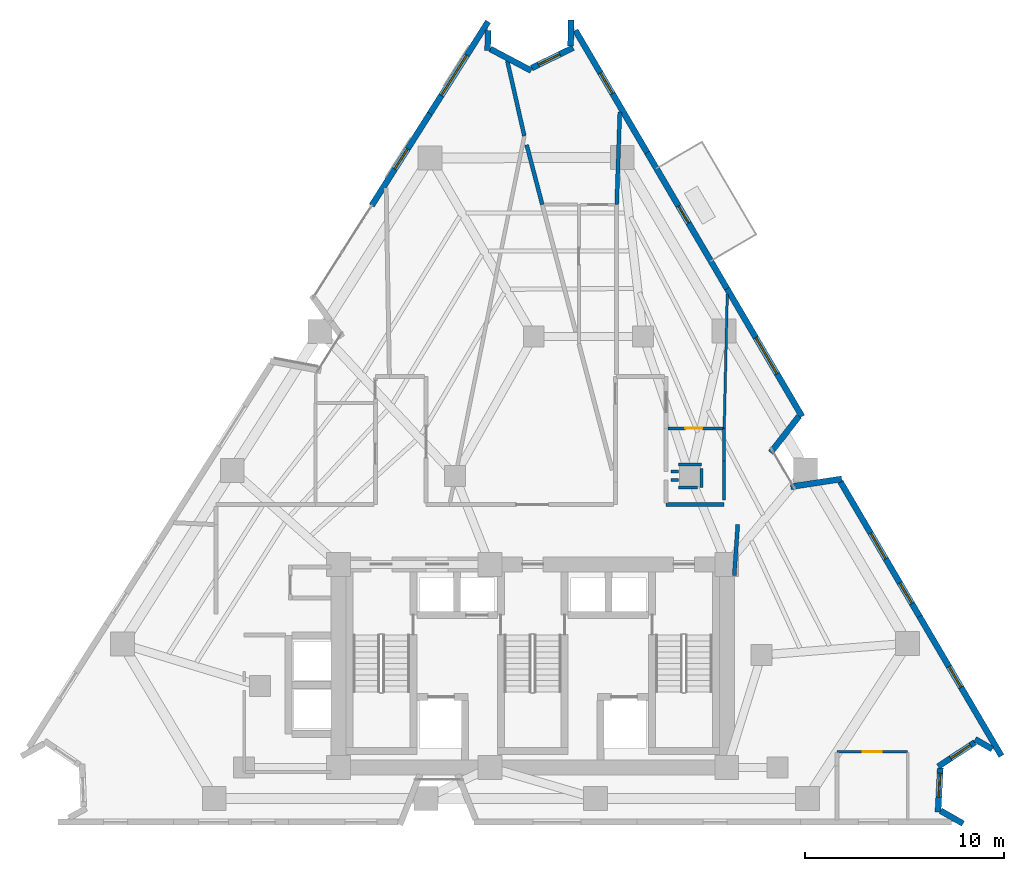
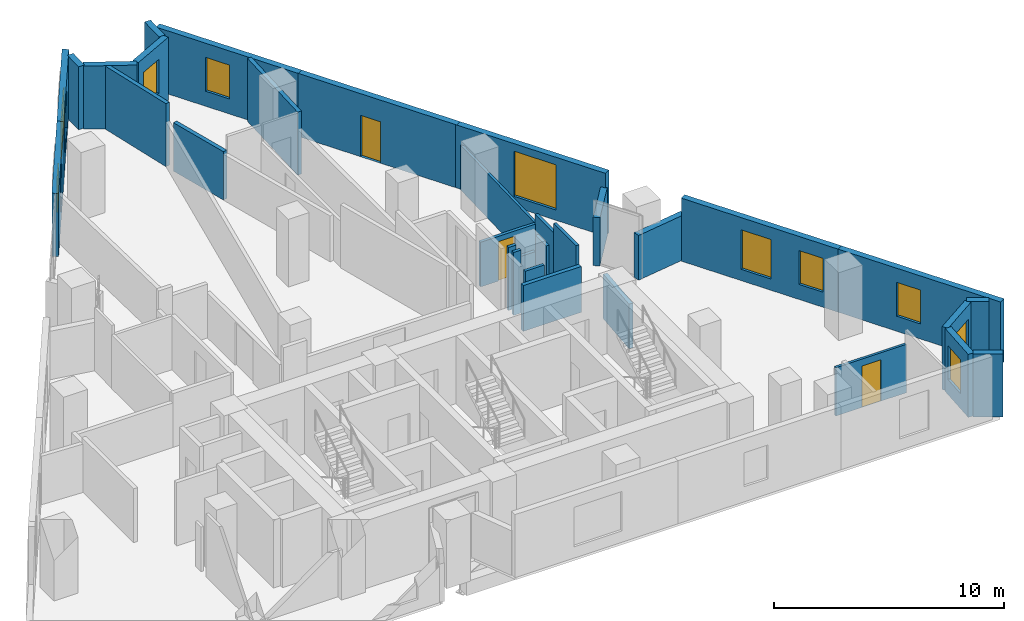
# One storey, part 8 of 11: 32 walls, 10 windows, 3 doors, 13 openings.
"""IFC4 building model written with IfcOpenShell, lengths in metres."""

from ifc_helpers import new_model, si_unit, direction, frame, frame_2d, origin, place, context, subcontext, project, spatial, rectangle, extrude, material, layer, layer_set, type_object, element, fill, save


model = new_model("IFC4")

# Units and contexts
model_context = context("Model", 3, precision=1e-05, world=origin(), true_north=direction((0.0, 1.0)))
body_context = subcontext(model_context, "Body", "Model", "MODEL_VIEW")
ifc_project = project(units=[si_unit("LENGTHUNIT", "METRE"), si_unit("AREAUNIT", "SQUARE_METRE"), si_unit("VOLUMEUNIT", "CUBIC_METRE"), si_unit("PLANEANGLEUNIT", "RADIAN"), si_unit("MASSUNIT", "GRAM", prefix="KILO")], contexts=[model_context])

# Site, building, storey
site_placement = place(None, origin())
site = spatial("IfcSite", under=ifc_project, at=site_placement, CompositionType="ELEMENT")
building_placement = place(site_placement, origin())
building = spatial("IfcBuilding", under=site, at=building_placement, Name="Almagre Mirador Tower", CompositionType="ELEMENT")
storey_placement = place(building_placement, frame((0.0, 0.0, 124.800048828125)))
storey = spatial("IfcBuildingStorey", under=building, at=storey_placement, Name="L31", CompositionType="ELEMENT", Elevation=124.800048828125)

# Wall, opening, window
ifc_material_1 = material(Name="Precast concrete C50/60", Category="concrete")
ifc_layer_1 = layer(ifc_material_1, 0.300048828125)
ifc_layer_set_1 = layer_set([ifc_layer_1], Name="Precast concrete C50/60")
wall_type_1 = type_object("IfcWallType", Name="WAL-EXT-300", PredefinedType="SOLIDWALL", material=ifc_layer_set_1)
wall_1_placement = place(storey_placement, frame((29.208251953125, 32.775390625, 0.0), z_axis=(0.0, 0.0, 1.0), x_axis=(0.534927859629, 0.844897736411, 0.0)))
wall_1 = element("IfcWall", 1, at=wall_1_placement, inside=storey, type_object=wall_type_1, Name="L31 expressed almagre precast frame wall 04", PredefinedType="SOLIDWALL", context=body_context, shape_type="SweptSolid", body=[
    extrude(rectangle(XDim=5.470947265625, YDim=0.300048828125, at=frame_2d((2.7353515625, 0.0))), origin(), (0.0, 0.0, 1.0), 3.349853515625),
])
opening_1_placement = place(wall_1_placement, frame((2.175048828125, 0.0, 0.800048828125)))
opening_1 = element("IfcOpeningElement", 2, at=opening_1_placement, cuts=wall_1, Name="Opening WN-04", PredefinedType="OPENING", context=body_context, shape_type="SweptSolid", body=[
    extrude(rectangle(XDim=1.199951171875, YDim=1.800048828125, at=frame_2d((0.60009765625, 0.89990234375))), frame((0.0, 0.159902, 0.0), z_axis=(0.0, -1.0, 0.0), x_axis=(1.0, 0.0, 0.0)), (0.0, 0.0, 1.0), 0.320049),
])
ifc_material_2 = material(Name="Dark solar-control laminated hurricane glass", Category="glass")
window_type_1 = type_object("IfcWindowType", Name="WIN-1200X1800", PartitioningType="SINGLE_PANEL", PredefinedType="WINDOW", material=ifc_material_2)
window_1_placement = place(opening_1_placement, origin())
window_1 = element("IfcWindow", 3, at=window_1_placement, inside=storey, type_object=window_type_1, Name="L31 recessed hurricane window L31-RST-J", OverallHeight=1.800048828125, OverallWidth=1.199951171875, PartitioningType="SINGLE_PANEL", PredefinedType="WINDOW", context=body_context, shape_type="SweptSolid", body=[
    extrude(rectangle(XDim=1.199951171875, YDim=1.800048828125, at=frame_2d((0.60009765625, 0.89990234375))), frame((0.0, 0.030029296875, 0.0), z_axis=(0.0, -1.0, 0.0), x_axis=(1.0, 0.0, 0.0)), (0.0, 0.0, 1.0), 0.06005859375),
])
fill(opening_1, window_1)

wall_2_placement = place(storey_placement, frame((32.134765625, 37.397705078125, 0.0), z_axis=(0.0, 0.0, 1.0), x_axis=(0.534896002359, 0.844917905278, 0.0)))
wall_2 = element("IfcWall", 4, at=wall_2_placement, inside=storey, type_object=wall_type_1, Name="L31 expressed almagre precast frame wall 05", PredefinedType="SOLIDWALL", context=body_context, shape_type="SweptSolid", body=[
    extrude(rectangle(XDim=5.470703125, YDim=0.300048828125, at=frame_2d((2.7353515625, 0.0))), origin(), (0.0, 0.0, 1.0), 3.349853515625),
])
opening_2_placement = place(wall_2_placement, frame((1.074951171875, 0.0, 0.60009765625)))
opening_2 = element("IfcOpeningElement", 5, at=opening_2_placement, cuts=wall_2, Name="Opening WN-02", PredefinedType="OPENING", context=body_context, shape_type="SweptSolid", body=[
    extrude(rectangle(XDim=2.39990234375, YDim=2.10009765625, at=frame_2d((1.199951171875, 1.050048828125))), frame((0.0, 0.159902, 0.0), z_axis=(0.0, -1.0, 0.0), x_axis=(1.0, 0.0, 0.0)), (0.0, 0.0, 1.0), 0.320049),
])
ifc_material_3 = material(Name="Dark solar-control laminated hurricane glass", Category="glass")
window_type_2 = type_object("IfcWindowType", Name="WIN-2400X2100", PartitioningType="TRIPLE_PANEL_VERTICAL", PredefinedType="WINDOW", material=ifc_material_3)
window_2_placement = place(opening_2_placement, origin())
window_2 = element("IfcWindow", 6, at=window_2_placement, inside=storey, type_object=window_type_2, Name="L31 recessed hurricane window L31-RST-J", OverallHeight=2.10009765625, OverallWidth=2.39990234375, PartitioningType="SINGLE_PANEL", PredefinedType="WINDOW", context=body_context, shape_type="SweptSolid", body=[
    extrude(rectangle(XDim=2.39990234375, YDim=2.10009765625, at=frame_2d((1.199951171875, 1.050048828125))), frame((0.0, 0.030029296875, 0.0), z_axis=(0.0, -1.0, 0.0), x_axis=(1.0, 0.0, 0.0)), (0.0, 0.0, 1.0), 0.06005859375),
])
fill(opening_2, window_2)

# Walls
wall_3_placement = place(storey_placement, frame((35.0537109375, 41.585205078125, 0.0), z_axis=(0.0, 0.0, 1.0), x_axis=(-0.016913964816, -0.999856948665, 0.0)))
element("IfcWall", 7, at=wall_3_placement, inside=storey, type_object=wall_type_1, Name="L31 expressed almagre precast frame wall 06", PredefinedType="SOLIDWALL", context=body_context, shape_type="SweptSolid", body=[
    extrude(rectangle(XDim=1.010498046875, YDim=0.300048828125, at=frame_2d((0.50537109375, 0.0))), origin(), (0.0, 0.0, 1.0), 3.349853515625),
])
wall_4_placement = place(storey_placement, frame((35.1669921875, 40.647216796875, 0.0), z_axis=(0.0, 0.0, 1.0), x_axis=(0.883555999994, -0.468325522339, 0.0)))
element("IfcWall", 8, at=wall_4_placement, inside=storey, type_object=wall_type_1, Name="L31 expressed almagre precast frame wall 07", PredefinedType="SOLIDWALL", context=body_context, shape_type="SweptSolid", body=[
    extrude(rectangle(XDim=2.331298828125, YDim=0.300048828125, at=frame_2d((1.16552734375, 0.0))), origin(), (0.0, 0.0, 1.0), 3.349853515625),
])

# Wall, opening, window
wall_5_placement = place(storey_placement, frame((37.2421875, 39.68896484375, 0.0), z_axis=(0.0, 0.0, 1.0), x_axis=(0.898736119344, 0.438489894738, 0.0)))
wall_5 = element("IfcWall", 9, at=wall_5_placement, inside=storey, type_object=wall_type_1, Name="L31 expressed almagre precast frame wall 08", PredefinedType="SOLIDWALL", context=body_context, shape_type="SweptSolid", body=[
    extrude(rectangle(XDim=2.32275390625, YDim=0.300048828125, at=frame_2d((1.161376953125, 0.0))), origin(), (0.0, 0.0, 1.0), 3.349853515625),
])
opening_3_placement = place(wall_5_placement, frame((0.3798828125, 0.0, 0.800048828125)))
opening_3 = element("IfcOpeningElement", 10, at=opening_3_placement, cuts=wall_5, Name="Opening WN-04", PredefinedType="OPENING", context=body_context, shape_type="SweptSolid", body=[
    extrude(rectangle(XDim=1.199951171875, YDim=1.800048828125, at=frame_2d((0.60009765625, 0.89990234375))), frame((0.0, 0.159902, 0.0), z_axis=(0.0, -1.0, 0.0), x_axis=(1.0, 0.0, 0.0)), (0.0, 0.0, 1.0), 0.320049),
])
window_3_placement = place(opening_3_placement, origin())
window_3 = element("IfcWindow", 11, at=window_3_placement, inside=storey, type_object=window_type_1, Name="L31 recessed hurricane window L31-UK-KT", OverallHeight=1.800048828125, OverallWidth=1.199951171875, PartitioningType="SINGLE_PANEL", PredefinedType="WINDOW", context=body_context, shape_type="SweptSolid", body=[
    extrude(rectangle(XDim=1.199951171875, YDim=1.800048828125, at=frame_2d((0.60009765625, 0.89990234375))), frame((0.0, 0.030029296875, 0.0), z_axis=(0.0, -1.0, 0.0), x_axis=(1.0, 0.0, 0.0)), (0.0, 0.0, 1.0), 0.06005859375),
])
fill(opening_3, window_3)

# Wall
wall_6_placement = place(storey_placement, frame((39.206298828125, 40.791015625, 0.0), z_axis=(0.0, 0.0, 1.0), x_axis=(0.01614812892, 0.999869610465, 0.0)))
element("IfcWall", 12, at=wall_6_placement, inside=storey, type_object=wall_type_1, Name="L31 expressed almagre precast frame wall 09", PredefinedType="SOLIDWALL", context=body_context, shape_type="SweptSolid", body=[
    extrude(rectangle(XDim=1.30029296875, YDim=0.300048828125, at=frame_2d((0.650146484375, 0.0))), origin(), (0.0, 0.0, 1.0), 3.349853515625),
])

# Wall, opening, window
wall_7_placement = place(storey_placement, frame((39.4453125, 41.575927734375, 0.0), z_axis=(0.0, 0.0, 1.0), x_axis=(0.50633152399, -0.862338905428, 0.0)))
wall_7 = element("IfcWall", 13, at=wall_7_placement, inside=storey, type_object=wall_type_1, Name="L31 expressed almagre precast frame wall 10", PredefinedType="SOLIDWALL", context=body_context, shape_type="SweptSolid", body=[
    extrude(rectangle(XDim=7.113525390625, YDim=0.300048828125, at=frame_2d((3.556640625, 0.0))), origin(), (0.0, 0.0, 1.0), 3.349853515625),
])
opening_4_placement = place(wall_7_placement, frame((2.47509765625, 0.0, 0.800048828125)))
opening_4 = element("IfcOpeningElement", 14, at=opening_4_placement, cuts=wall_7, Name="Opening WN-04", PredefinedType="OPENING", context=body_context, shape_type="SweptSolid", body=[
    extrude(rectangle(XDim=1.199951171875, YDim=1.800048828125, at=frame_2d((0.60009765625, 0.89990234375))), frame((0.0, 0.159902, 0.0), z_axis=(0.0, -1.0, 0.0), x_axis=(1.0, 0.0, 0.0)), (0.0, 0.0, 1.0), 0.320049),
])
window_4_placement = place(opening_4_placement, origin())
window_4 = element("IfcWindow", 15, at=window_4_placement, inside=storey, type_object=window_type_1, Name="L31 recessed hurricane window L31-UK-KT", OverallHeight=1.800048828125, OverallWidth=1.199951171875, PartitioningType="SINGLE_PANEL", PredefinedType="WINDOW", context=body_context, shape_type="SweptSolid", body=[
    extrude(rectangle(XDim=1.199951171875, YDim=1.800048828125, at=frame_2d((0.60009765625, 0.89990234375))), frame((0.0, 0.030029296875, 0.0), z_axis=(0.0, -1.0, 0.0), x_axis=(1.0, 0.0, 0.0)), (0.0, 0.0, 1.0), 0.06005859375),
])
fill(opening_4, window_4)

# Wall, opening, door
wall_8_placement = place(storey_placement, frame((43.047119140625, 35.441650390625, 0.0), z_axis=(0.0, 0.0, 1.0), x_axis=(0.506324067401, -0.8623432836, 0.0)))
wall_8 = element("IfcWall", 16, at=wall_8_placement, inside=storey, type_object=wall_type_1, Name="L31 expressed almagre precast frame wall 11", PredefinedType="SOLIDWALL", context=body_context, shape_type="SweptSolid", body=[
    extrude(rectangle(XDim=7.926513671875, YDim=0.300048828125, at=frame_2d((3.96337890625, 0.0))), origin(), (0.0, 0.0, 1.0), 3.349853515625),
])
opening_5_placement = place(wall_8_placement, frame((3.11572265625, 0.0, 0.0)))
opening_5 = element("IfcOpeningElement", 17, at=opening_5_placement, cuts=wall_8, Name="Opening BD-01", PredefinedType="OPENING", context=body_context, shape_type="SweptSolid", body=[
    extrude(rectangle(XDim=1.0, YDim=2.199951171875, at=frame_2d((0.5, 1.10009765625))), frame((0.0, 0.159902, 0.0), z_axis=(0.0, -1.0, 0.0), x_axis=(1.0, 0.0, 0.0)), (0.0, 0.0, 1.0), 0.320049),
])
ifc_material_4 = material(Name="Black anodized aluminium and laminated glass", Category="aluminium")
door_type_1 = type_object("IfcDoorType", Name="DOR-BAL-1000X2200", OperationType="NOTDEFINED", PredefinedType="DOOR", material=ifc_material_4)
door_1_placement = place(opening_5_placement, origin())
door_1 = element("IfcDoor", 18, at=door_1_placement, inside=storey, type_object=door_type_1, Name="DR-1014 L31 east balcony glazed door 2", OperationType="SINGLE_SWING_LEFT", OverallHeight=2.199951171875, OverallWidth=1.0, PredefinedType="DOOR", context=body_context, shape_type="SweptSolid", body=[
    extrude(rectangle(XDim=1.0, YDim=2.199951171875, at=frame_2d((0.5, 1.10009765625))), frame((0.0, 0.02490234375, 0.0), z_axis=(0.0, -1.0, 0.0), x_axis=(1.0, 0.0, 0.0)), (0.0, 0.0, 1.0), 0.050048828125),
])
fill(opening_5, door_1)

# Wall, opening, window
wall_9_placement = place(storey_placement, frame((47.03369140625, 28.65185546875, 0.0), z_axis=(0.0, 0.0, 1.0), x_axis=(0.506343130604, -0.862332090375, 0.0)))
wall_9 = element("IfcWall", 19, at=wall_9_placement, inside=storey, type_object=wall_type_1, Name="L31 expressed almagre precast frame wall 12", PredefinedType="SOLIDWALL", context=body_context, shape_type="SweptSolid", body=[
    extrude(rectangle(XDim=7.50341796875, YDim=0.300048828125, at=frame_2d((3.751708984375, 0.0))), origin(), (0.0, 0.0, 1.0), 3.349853515625),
])
opening_6_placement = place(wall_9_placement, frame((2.9150390625, 0.0, 0.550048828125)))
opening_6 = element("IfcOpeningElement", 20, at=opening_6_placement, cuts=wall_9, Name="Opening WN-05", PredefinedType="OPENING", context=body_context, shape_type="SweptSolid", body=[
    extrude(rectangle(XDim=2.10009765625, YDim=2.39990234375, at=frame_2d((1.050048828125, 1.199951171875))), frame((0.0, 0.159902, 0.0), z_axis=(0.0, -1.0, 0.0), x_axis=(1.0, 0.0, 0.0)), (0.0, 0.0, 1.0), 0.320049),
])
ifc_material_5 = material(Name="Dark solar-control laminated hurricane glass", Category="glass")
window_type_3 = type_object("IfcWindowType", Name="WIN-2100X2400", PartitioningType="DOUBLE_PANEL_VERTICAL", PredefinedType="WINDOW", material=ifc_material_5)
window_5_placement = place(opening_6_placement, origin())
window_5 = element("IfcWindow", 21, at=window_5_placement, inside=storey, type_object=window_type_3, Name="L31 recessed hurricane window L31-UH-KT", OverallHeight=2.39990234375, OverallWidth=2.10009765625, PartitioningType="SINGLE_PANEL", PredefinedType="WINDOW", context=body_context, shape_type="SweptSolid", body=[
    extrude(rectangle(XDim=2.10009765625, YDim=2.39990234375, at=frame_2d((1.050048828125, 1.199951171875))), frame((0.0, 0.030029296875, 0.0), z_axis=(0.0, -1.0, 0.0), x_axis=(1.0, 0.0, 0.0)), (0.0, 0.0, 1.0), 0.06005859375),
])
fill(opening_6, window_5)

# Walls
wall_10_placement = place(storey_placement, frame((50.676025390625, 22.19140625, 0.0), z_axis=(0.0, 0.0, 1.0), x_axis=(-0.614203555607, -0.789147636555, 0.0)))
element("IfcWall", 22, at=wall_10_placement, inside=storey, type_object=wall_type_1, Name="L31 expressed almagre precast frame wall 13", PredefinedType="SOLIDWALL", context=body_context, shape_type="SweptSolid", body=[
    extrude(rectangle(XDim=2.313720703125, YDim=0.300048828125, at=frame_2d((1.15673828125, 0.0))), origin(), (0.0, 0.0, 1.0), 2.574951171875),
])
wall_11_placement = place(storey_placement, frame((50.260498046875, 18.65283203125, 0.0), z_axis=(0.0, 0.0, 1.0), x_axis=(0.988437976445, 0.151625745577, 0.0)))
element("IfcWall", 23, at=wall_11_placement, inside=storey, type_object=wall_type_1, Name="L31 expressed almagre precast frame wall 14", PredefinedType="SOLIDWALL", context=body_context, shape_type="SweptSolid", body=[
    extrude(rectangle(XDim=2.593994140625, YDim=0.300048828125, at=frame_2d((1.296875, 0.0))), origin(), (0.0, 0.0, 1.0), 2.376953125),
])

# Wall, openings, windows
wall_12_placement = place(storey_placement, frame((52.75439453125, 18.90869140625, 0.0), z_axis=(0.0, 0.0, 1.0), x_axis=(0.506329752729, -0.86233994544, 0.0)))
wall_12 = element("IfcWall", 24, at=wall_12_placement, inside=storey, type_object=wall_type_1, Name="L31 expressed almagre precast frame wall 15", PredefinedType="SOLIDWALL", context=body_context, shape_type="SweptSolid", body=[
    extrude(rectangle(XDim=7.852783203125, YDim=0.300048828125, at=frame_2d((3.92626953125, 0.0))), origin(), (0.0, 0.0, 1.0), 3.349853515625),
])
opening_7_placement = place(wall_12_placement, frame((5.89990234375, 0.0, 0.800048828125)))
opening_7 = element("IfcOpeningElement", 25, at=opening_7_placement, cuts=wall_12, Name="Opening WN-04", PredefinedType="OPENING", context=body_context, shape_type="SweptSolid", body=[
    extrude(rectangle(XDim=1.199951171875, YDim=1.800048828125, at=frame_2d((0.60009765625, 0.89990234375))), frame((0.0, 0.159902, 0.0), z_axis=(0.0, -1.0, 0.0), x_axis=(1.0, 0.0, 0.0)), (0.0, 0.0, 1.0), 0.320049),
])
opening_8_placement = place(wall_12_placement, frame((3.0, 0.0, 0.60009765625)))
opening_8 = element("IfcOpeningElement", 26, at=opening_8_placement, cuts=wall_12, Name="Opening WN-03", PredefinedType="OPENING", context=body_context, shape_type="SweptSolid", body=[
    extrude(rectangle(XDim=1.5, YDim=2.10009765625, at=frame_2d((0.75, 1.050048828125))), frame((0.0, 0.159902, 0.0), z_axis=(0.0, -1.0, 0.0), x_axis=(1.0, 0.0, 0.0)), (0.0, 0.0, 1.0), 0.320049),
])
window_6_placement = place(opening_7_placement, origin())
window_6 = element("IfcWindow", 27, at=window_6_placement, inside=storey, type_object=window_type_1, Name="L31 recessed hurricane window L31-UC-LV", OverallHeight=1.800048828125, OverallWidth=1.199951171875, PartitioningType="SINGLE_PANEL", PredefinedType="WINDOW", context=body_context, shape_type="SweptSolid", body=[
    extrude(rectangle(XDim=1.199951171875, YDim=1.800048828125, at=frame_2d((0.60009765625, 0.89990234375))), frame((0.0, 0.030029296875, 0.0), z_axis=(0.0, -1.0, 0.0), x_axis=(1.0, 0.0, 0.0)), (0.0, 0.0, 1.0), 0.06005859375),
])
fill(opening_7, window_6)
ifc_material_6 = material(Name="Dark solar-control laminated hurricane glass", Category="glass")
window_type_4 = type_object("IfcWindowType", Name="WIN-1500X2100", PartitioningType="DOUBLE_PANEL_VERTICAL", PredefinedType="WINDOW", material=ifc_material_6)
window_7_placement = place(opening_8_placement, origin())
window_7 = element("IfcWindow", 28, at=window_7_placement, inside=storey, type_object=window_type_4, Name="L31 recessed hurricane window L31-UC-HB", OverallHeight=2.10009765625, OverallWidth=1.5, PartitioningType="SINGLE_PANEL", PredefinedType="WINDOW", context=body_context, shape_type="SweptSolid", body=[
    extrude(rectangle(XDim=1.5, YDim=2.10009765625, at=frame_2d((0.75, 1.050048828125))), frame((0.0, 0.030029296875, 0.0), z_axis=(0.0, -1.0, 0.0), x_axis=(1.0, 0.0, 0.0)), (0.0, 0.0, 1.0), 0.06005859375),
])
fill(opening_8, window_7)

# Wall, opening, window
wall_13_placement = place(storey_placement, frame((56.73046875, 12.136962890625, 0.0), z_axis=(0.0, 0.0, 1.0), x_axis=(0.506362293691, -0.86232083793, 0.0)))
wall_13 = element("IfcWall", 29, at=wall_13_placement, inside=storey, type_object=wall_type_1, Name="L31 expressed almagre precast frame wall 16", PredefinedType="SOLIDWALL", context=body_context, shape_type="SweptSolid", body=[
    extrude(rectangle(XDim=8.12744140625, YDim=0.300048828125, at=frame_2d((4.063720703125, 0.0))), origin(), (0.0, 0.0, 1.0), 3.349853515625),
])
opening_9_placement = place(wall_13_placement, frame((2.925048828125, 0.0, 0.800048828125)))
opening_9 = element("IfcOpeningElement", 30, at=opening_9_placement, cuts=wall_13, Name="Opening WN-04", PredefinedType="OPENING", context=body_context, shape_type="SweptSolid", body=[
    extrude(rectangle(XDim=1.199951171875, YDim=1.800048828125, at=frame_2d((0.60009765625, 0.89990234375))), frame((0.0, 0.159902, 0.0), z_axis=(0.0, -1.0, 0.0), x_axis=(1.0, 0.0, 0.0)), (0.0, 0.0, 1.0), 0.320049),
])
window_8_placement = place(opening_9_placement, origin())
window_8 = element("IfcWindow", 31, at=window_8_placement, inside=storey, type_object=window_type_1, Name="L31 recessed hurricane window L31-UC-MB", OverallHeight=1.800048828125, OverallWidth=1.199951171875, PartitioningType="SINGLE_PANEL", PredefinedType="WINDOW", context=body_context, shape_type="SweptSolid", body=[
    extrude(rectangle(XDim=1.199951171875, YDim=1.800048828125, at=frame_2d((0.60009765625, 0.89990234375))), frame((0.0, 0.030029296875, 0.0), z_axis=(0.0, -1.0, 0.0), x_axis=(1.0, 0.0, 0.0)), (0.0, 0.0, 1.0), 0.06005859375),
])
fill(opening_9, window_8)

# Wall
wall_14_placement = place(storey_placement, frame((60.384521484375, 5.47265625, 0.0), z_axis=(0.0, 0.0, 1.0), x_axis=(-0.867744770586, 0.497010073461, 0.0)))
element("IfcWall", 32, at=wall_14_placement, inside=storey, type_object=wall_type_1, Name="L31 expressed almagre precast frame wall 17", PredefinedType="SOLIDWALL", context=body_context, shape_type="SweptSolid", body=[
    extrude(rectangle(XDim=0.99560546875, YDim=0.300048828125, at=frame_2d((0.497802734375, 0.0))), origin(), (0.0, 0.0, 1.0), 3.349853515625),
])

# Wall, opening, window
wall_15_placement = place(storey_placement, frame((59.516845703125, 5.8154296875, 0.0), z_axis=(0.0, 0.0, 1.0), x_axis=(-0.834701570444, -0.550702540669, 0.0)))
wall_15 = element("IfcWall", 33, at=wall_15_placement, inside=storey, type_object=wall_type_1, Name="L31 expressed almagre precast frame wall 18", PredefinedType="SOLIDWALL", context=body_context, shape_type="SweptSolid", body=[
    extrude(rectangle(XDim=2.216064453125, YDim=0.300048828125, at=frame_2d((1.10791015625, 0.0))), origin(), (0.0, 0.0, 1.0), 3.349853515625),
])
opening_10_placement = place(wall_15_placement, frame((0.260009765625, 0.0, 0.800048828125)))
opening_10 = element("IfcOpeningElement", 34, at=opening_10_placement, cuts=wall_15, Name="Opening WN-04", PredefinedType="OPENING", context=body_context, shape_type="SweptSolid", body=[
    extrude(rectangle(XDim=1.199951171875, YDim=1.800048828125, at=frame_2d((0.60009765625, 0.89990234375))), frame((0.0, 0.159902, 0.0), z_axis=(0.0, -1.0, 0.0), x_axis=(1.0, 0.0, 0.0)), (0.0, 0.0, 1.0), 0.320049),
])
window_9_placement = place(opening_10_placement, origin())
window_9 = element("IfcWindow", 35, at=window_9_placement, inside=storey, type_object=window_type_1, Name="L31 recessed hurricane window L31-UC-MB", OverallHeight=1.800048828125, OverallWidth=1.199951171875, PartitioningType="SINGLE_PANEL", PredefinedType="WINDOW", context=body_context, shape_type="SweptSolid", body=[
    extrude(rectangle(XDim=1.199951171875, YDim=1.800048828125, at=frame_2d((0.60009765625, 0.89990234375))), frame((0.0, 0.030029296875, 0.0), z_axis=(0.0, -1.0, 0.0), x_axis=(1.0, 0.0, 0.0)), (0.0, 0.0, 1.0), 0.06005859375),
])
fill(opening_10, window_9)

wall_16_placement = place(storey_placement, frame((57.776123046875, 4.522216796875, 0.0), z_axis=(0.0, 0.0, 1.0), x_axis=(-0.052524156453, -0.998619653817, 0.0)))
wall_16 = element("IfcWall", 36, at=wall_16_placement, inside=storey, type_object=wall_type_1, Name="L31 expressed almagre precast frame wall 19", PredefinedType="SOLIDWALL", context=body_context, shape_type="SweptSolid", body=[
    extrude(rectangle(XDim=2.21728515625, YDim=0.300048828125, at=frame_2d((1.108642578125, 0.0))), origin(), (0.0, 0.0, 1.0), 3.349853515625),
])
opening_11_placement = place(wall_16_placement, frame((0.260009765625, 0.0, 0.800048828125)))
opening_11 = element("IfcOpeningElement", 37, at=opening_11_placement, cuts=wall_16, Name="Opening WN-04", PredefinedType="OPENING", context=body_context, shape_type="SweptSolid", body=[
    extrude(rectangle(XDim=1.199951171875, YDim=1.800048828125, at=frame_2d((0.60009765625, 0.89990234375))), frame((0.0, 0.159902, 0.0), z_axis=(0.0, -1.0, 0.0), x_axis=(1.0, 0.0, 0.0)), (0.0, 0.0, 1.0), 0.320049),
])
window_10_placement = place(opening_11_placement, origin())
window_10 = element("IfcWindow", 38, at=window_10_placement, inside=storey, type_object=window_type_1, Name="L31 recessed hurricane window L31-UC-MB", OverallHeight=1.800048828125, OverallWidth=1.199951171875, PartitioningType="SINGLE_PANEL", PredefinedType="WINDOW", context=body_context, shape_type="SweptSolid", body=[
    extrude(rectangle(XDim=1.199951171875, YDim=1.800048828125, at=frame_2d((0.60009765625, 0.89990234375))), frame((0.0, 0.030029296875, 0.0), z_axis=(0.0, -1.0, 0.0), x_axis=(1.0, 0.0, 0.0)), (0.0, 0.0, 1.0), 0.06005859375),
])
fill(opening_11, window_10)

# Wall
wall_17_placement = place(storey_placement, frame((57.78857421875, 2.37841796875, 0.0), z_axis=(0.0, 0.0, 1.0), x_axis=(0.868035842981, -0.49650153605, 0.0)))
element("IfcWall", 39, at=wall_17_placement, inside=storey, type_object=wall_type_1, Name="L31 expressed almagre precast frame wall 20", PredefinedType="SOLIDWALL", context=body_context, shape_type="SweptSolid", body=[
    extrude(rectangle(XDim=1.304931640625, YDim=0.300048828125, at=frame_2d((0.65234375, 0.0))), origin(), (0.0, 0.0, 1.0), 3.349853515625),
])

# Wall, opening, door
ifc_material_7 = material(Name="Gypsum acoustic stud partition", Category="other")
ifc_layer_2 = layer(ifc_material_7, 0.125)
ifc_layer_set_2 = layer_set([ifc_layer_2], Name="Gypsum acoustic stud partition")
wall_type_2 = type_object("IfcWallType", Name="WAL-PRT-125-UTL", PredefinedType="PARTITIONING", material=ifc_layer_set_2)
wall_18_placement = place(storey_placement, frame((52.580078125, 5.35009765625, 0.0), z_axis=(0.0, 0.0, 1.0), x_axis=(1.0, 0.0, 0.0)))
wall_18 = element("IfcWall", 40, at=wall_18_placement, inside=storey, type_object=wall_type_2, Name="L31 interior partition 032", PredefinedType="PARTITIONING", context=body_context, shape_type="SweptSolid", body=[
    extrude(rectangle(XDim=3.5498046875, YDim=0.125, at=frame_2d((1.77490234375, 0.0))), origin(), (0.0, 0.0, 1.0), 2.570068359375),
])
opening_12_placement = place(wall_18_placement, frame((1.300048828125, 0.0, 0.0)))
opening_12 = element("IfcOpeningElement", 41, at=opening_12_placement, cuts=wall_18, Name="Opening UD-01", PredefinedType="OPENING", context=body_context, shape_type="SweptSolid", body=[
    extrude(rectangle(XDim=0.949951171875, YDim=2.199951171875, at=frame_2d((0.47509765625, 1.10009765625))), frame((0.0, 0.0725, 0.0), z_axis=(0.0, -1.0, 0.0), x_axis=(1.0, 0.0, 0.0)), (0.0, 0.0, 1.0), 0.145),
])
ifc_material_8 = material(Name="Solid American walnut timber", Category="wood")
door_type_2 = type_object("IfcDoorType", Name="DOR-UNR-950X2200", OperationType="NOTDEFINED", PredefinedType="DOOR", material=ifc_material_8)
door_2_placement = place(opening_12_placement, origin())
door_2 = element("IfcDoor", 42, at=door_2_placement, inside=storey, type_object=door_type_2, Name="DR-1022 L31 interior door L31-UC-LV to L31-UC-KT", OperationType="SINGLE_SWING_RIGHT", OverallHeight=2.199951171875, OverallWidth=0.949951171875, PredefinedType="DOOR", context=body_context, shape_type="SweptSolid", body=[
    extrude(rectangle(XDim=0.949951171875, YDim=2.199951171875, at=frame_2d((0.47509765625, 1.10009765625))), frame((0.0, 0.02490234375, 0.0), z_axis=(0.0, -1.0, 0.0), x_axis=(1.0, 0.0, 0.0)), (0.0, 0.0, 1.0), 0.050048828125),
])
fill(opening_12, door_2)

# Wall
wall_19_placement = place(storey_placement, frame((46.919921875, 21.580078125, 0.0), z_axis=(0.0, 0.0, 1.0), x_axis=(0.022692630803, 0.999742489098, 0.0)))
element("IfcWall", 43, at=wall_19_placement, inside=storey, type_object=wall_type_2, Name="L31 interior partition 055", PredefinedType="PARTITIONING", context=body_context, shape_type="SweptSolid", body=[
    extrude(rectangle(XDim=6.74560546875, YDim=0.125, at=frame_2d((3.372802734375, 0.0))), origin(), (0.0, 0.0, 1.0), 2.3720703125),
])

# Wall, opening, door
ifc_material_9 = material(Name="Gypsum acoustic stud partition", Category="other")
ifc_layer_3 = layer(ifc_material_9, 0.14990234375)
ifc_layer_set_3 = layer_set([ifc_layer_3], Name="Gypsum acoustic stud partition")
wall_type_3 = type_object("IfcWallType", Name="WAL-PRT-150-STD", PredefinedType="PARTITIONING", material=ifc_layer_set_3)
wall_20_placement = place(storey_placement, frame((44.0849609375, 21.580078125, 0.0), z_axis=(0.0, 0.0, 1.0), x_axis=(1.0, 0.0, 0.0)))
wall_20 = element("IfcWall", 44, at=wall_20_placement, inside=storey, type_object=wall_type_3, Name="L31 interior partition 056", PredefinedType="PARTITIONING", context=body_context, shape_type="SweptSolid", body=[
    extrude(rectangle(XDim=2.78759765625, YDim=0.14990234375, at=frame_2d((1.393798828125, 0.0))), origin(), (0.0, 0.0, 1.0), 2.3720703125),
])
opening_13_placement = place(wall_20_placement, frame((0.890380859375, 0.0, 0.0)))
opening_13 = element("IfcOpeningElement", 45, at=opening_13_placement, cuts=wall_20, Name="Opening UD-04", PredefinedType="OPENING", context=body_context, shape_type="SweptSolid", body=[
    extrude(rectangle(XDim=0.85009765625, YDim=2.10009765625, at=frame_2d((0.425048828125, 1.050048828125))), frame((0.0, 0.084951, 0.0), z_axis=(0.0, -1.0, 0.0), x_axis=(1.0, 0.0, 0.0)), (0.0, 0.0, 1.0), 0.169902),
])
ifc_material_10 = material(Name="Moisture-resistant oak timber", Category="wood")
door_type_3 = type_object("IfcDoorType", Name="DOR-UNR-850X2100", OperationType="NOTDEFINED", PredefinedType="DOOR", material=ifc_material_10)
door_3_placement = place(opening_13_placement, origin())
door_3 = element("IfcDoor", 46, at=door_3_placement, inside=storey, type_object=door_type_3, Name="DR-1024 L31 interior door L31-UH-ST to L31-UH-BT", OperationType="SINGLE_SWING_RIGHT", OverallHeight=2.10009765625, OverallWidth=0.85009765625, PredefinedType="DOOR", context=body_context, shape_type="SweptSolid", body=[
    extrude(rectangle(XDim=0.85009765625, YDim=2.10009765625, at=frame_2d((0.425048828125, 1.050048828125))), frame((0.0, 0.02490234375, 0.0), z_axis=(0.0, -1.0, 0.0), x_axis=(1.0, 0.0, 0.0)), (0.0, 0.0, 1.0), 0.050048828125),
])
fill(opening_13, door_3)

# Walls
wall_21_placement = place(storey_placement, frame((46.919921875, 21.5673828125, 0.0), z_axis=(0.0, 0.0, 1.0), x_axis=(0.0, -1.0, 0.0)))
element("IfcWall", 47, at=wall_21_placement, inside=storey, type_object=wall_type_3, Name="L31 interior partition 059", PredefinedType="PARTITIONING", context=body_context, shape_type="SweptSolid", body=[
    extrude(rectangle(XDim=1.617431640625, YDim=0.14990234375, at=frame_2d((0.80859375, 0.0))), origin(), (0.0, 0.0, 1.0), 2.85986328125),
])
wall_22_placement = place(storey_placement, frame((44.239990234375, 19.419921875, 0.0), z_axis=(0.0, 0.0, 1.0), x_axis=(1.0, 0.0, 0.0)))
element("IfcWall", 48, at=wall_22_placement, inside=storey, type_object=wall_type_3, Name="L31 interior partition 064", PredefinedType="PARTITIONING", context=body_context, shape_type="SweptSolid", body=[
    extrude(rectangle(XDim=0.380126953125, YDim=0.14990234375, at=frame_2d((0.18994140625, 0.0))), origin(), (0.0, 0.0, 1.0), 3.349853515625),
])
wall_23_placement = place(storey_placement, frame((44.6201171875, 19.780029296875, 0.0), z_axis=(0.0, 0.0, 1.0), x_axis=(1.0, 0.0, 0.0)))
element("IfcWall", 49, at=wall_23_placement, inside=storey, type_object=wall_type_3, Name="L31 interior partition 065", PredefinedType="PARTITIONING", context=body_context, shape_type="SweptSolid", body=[
    extrude(rectangle(XDim=1.169921875, YDim=0.14990234375, at=frame_2d((0.5849609375, 0.0))), origin(), (0.0, 0.0, 1.0), 2.3720703125),
])
wall_24_placement = place(storey_placement, frame((45.7900390625, 19.56494140625, 0.0), z_axis=(0.0, 0.0, 1.0), x_axis=(0.0, -1.0, 0.0)))
element("IfcWall", 50, at=wall_24_placement, inside=storey, type_object=wall_type_3, Name="L31 interior partition 066", PredefinedType="PARTITIONING", context=body_context, shape_type="SweptSolid", body=[
    extrude(rectangle(XDim=0.94482421875, YDim=0.14990234375, at=frame_2d((0.472412109375, 0.0))), origin(), (0.0, 0.0, 1.0), 3.349853515625),
])
wall_25_placement = place(storey_placement, frame((45.574951171875, 18.6201171875, 0.0), z_axis=(0.0, 0.0, 1.0), x_axis=(-1.0, 0.0, 0.0)))
element("IfcWall", 51, at=wall_25_placement, inside=storey, type_object=wall_type_3, Name="L31 interior partition 067", PredefinedType="PARTITIONING", context=body_context, shape_type="SweptSolid", body=[
    extrude(rectangle(XDim=0.954833984375, YDim=0.14990234375, at=frame_2d((0.4775390625, 0.0))), origin(), (0.0, 0.0, 1.0), 2.43603515625),
])
wall_26_placement = place(storey_placement, frame((44.6201171875, 18.97998046875, 0.0), z_axis=(0.0, 0.0, 1.0), x_axis=(-1.0, 0.0, 0.0)))
element("IfcWall", 52, at=wall_26_placement, inside=storey, type_object=wall_type_3, Name="L31 interior partition 068", PredefinedType="PARTITIONING", context=body_context, shape_type="SweptSolid", body=[
    extrude(rectangle(XDim=0.380126953125, YDim=0.14990234375, at=frame_2d((0.18994140625, 0.0))), origin(), (0.0, 0.0, 1.0), 3.349853515625),
])
wall_27_placement = place(storey_placement, frame((46.919921875, 17.989990234375, 0.0), z_axis=(0.0, 0.0, 1.0), x_axis=(0.0, 1.0, 0.0)))
element("IfcWall", 53, at=wall_27_placement, inside=storey, type_object=wall_type_3, Name="L31 interior partition 069", PredefinedType="PARTITIONING", context=body_context, shape_type="SweptSolid", body=[
    extrude(rectangle(XDim=1.9599609375, YDim=0.14990234375, at=frame_2d((0.97998046875, 0.0))), origin(), (0.0, 0.0, 1.0), 3.349853515625),
])
ifc_material_11 = material(Name="Gypsum acoustic stud partition", Category="other")
ifc_layer_4 = layer(ifc_material_11, 0.199951171875)
ifc_layer_set_4 = layer_set([ifc_layer_4], Name="Gypsum acoustic stud partition")
wall_type_4 = type_object("IfcWallType", Name="WAL-PRT-200-EI60", PredefinedType="PARTITIONING", material=ifc_layer_set_4)
wall_28_placement = place(storey_placement, frame((47.425048828125, 14.199951171875, 0.0), z_axis=(0.0, 0.0, 1.0), x_axis=(0.068484119878, 0.997652206595, 0.0)))
element("IfcWall", 54, at=wall_28_placement, inside=storey, type_object=wall_type_4, Name="L31 interior partition 002", PredefinedType="PARTITIONING", context=body_context, shape_type="SweptSolid", body=[
    extrude(rectangle(XDim=2.55615234375, YDim=0.199951171875, at=frame_2d((1.278076171875, 0.0))), origin(), (0.0, 0.0, 1.0), 2.3720703125),
])
wall_29_placement = place(storey_placement, frame((46.919921875, 17.75, 0.0), z_axis=(0.0, 0.0, 1.0), x_axis=(-1.0, 0.0, 0.0)))
element("IfcWall", 55, at=wall_29_placement, inside=storey, type_object=wall_type_4, Name="L31 interior partition 014", PredefinedType="PARTITIONING", context=body_context, shape_type="SweptSolid", body=[
    extrude(rectangle(XDim=2.919921875, YDim=0.199951171875, at=frame_2d((1.4599609375, 0.0))), origin(), (0.0, 0.0, 1.0), 2.43603515625),
])
wall_30_placement = place(storey_placement, frame((37.780029296875, 32.830078125, 0.0), z_axis=(0.0, 0.0, 1.0), x_axis=(-0.253133149474, 0.967431449064, 0.0)))
element("IfcWall", 56, at=wall_30_placement, inside=storey, type_object=wall_type_4, Name="L31 interior partition 054", PredefinedType="PARTITIONING", context=body_context, shape_type="SweptSolid", body=[
    extrude(rectangle(XDim=3.101806640625, YDim=0.199951171875, at=frame_2d((1.55078125, 0.0))), origin(), (0.0, 0.0, 1.0), 2.570068359375),
])
wall_31_placement = place(storey_placement, frame((41.676025390625, 37.468017578125, 0.0), z_axis=(0.0, 0.0, 1.0), x_axis=(-0.0336178771, -0.999434759421, 0.0)))
element("IfcWall", 57, at=wall_31_placement, inside=storey, type_object=wall_type_4, Name="L31 interior partition 058", PredefinedType="PARTITIONING", context=body_context, shape_type="SweptSolid", body=[
    extrude(rectangle(XDim=4.640625, YDim=0.199951171875, at=frame_2d((2.3203125, 0.0))), origin(), (0.0, 0.0, 1.0), 3.349853515625),
])
wall_32_placement = place(storey_placement, frame((36.8798828125, 36.27001953125, 0.0), z_axis=(0.0, 0.0, 1.0), x_axis=(-0.221190241938, 0.975230678799, 0.0)))
element("IfcWall", 58, at=wall_32_placement, inside=storey, type_object=wall_type_4, Name="L31 interior partition 060", PredefinedType="PARTITIONING", context=body_context, shape_type="SweptSolid", body=[
    extrude(rectangle(XDim=3.869873046875, YDim=0.199951171875, at=frame_2d((1.93505859375, 0.0))), origin(), (0.0, 0.0, 1.0), 3.349853515625),
])

save(model, "model.ifc")
